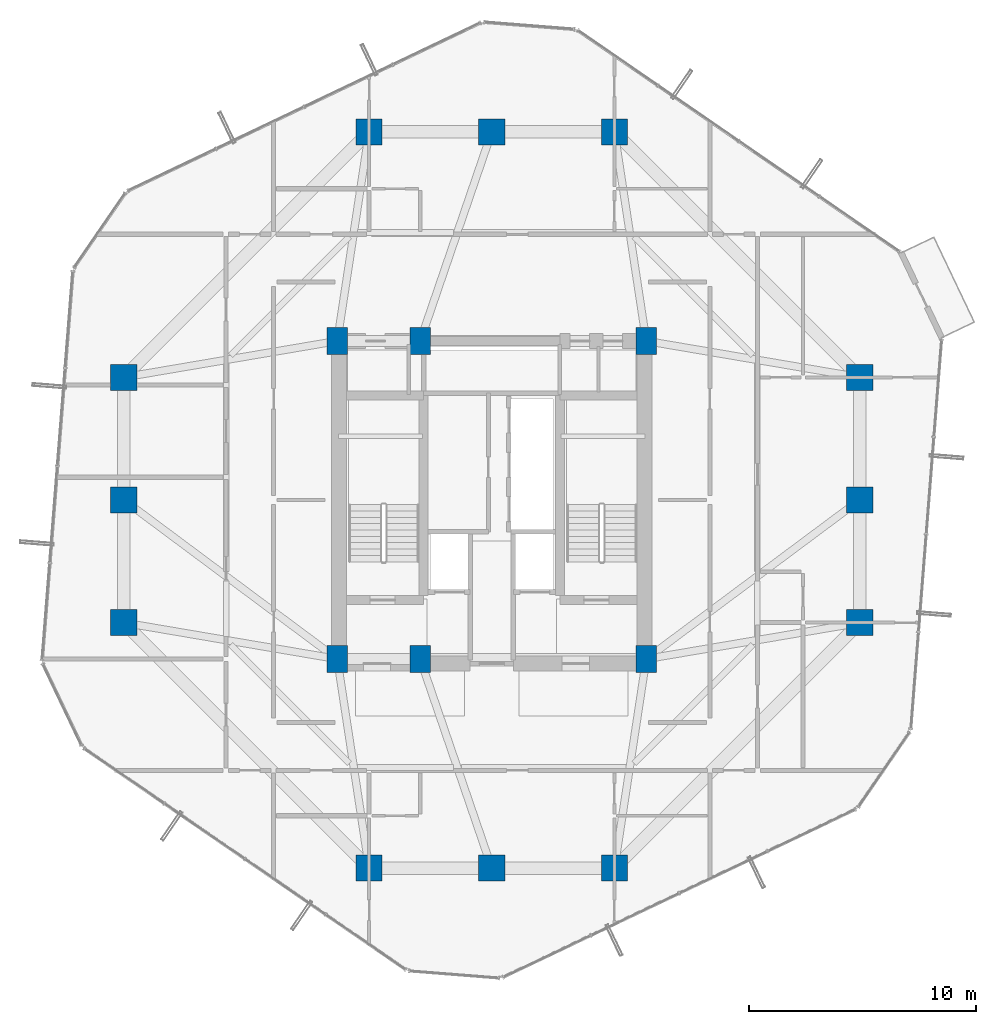
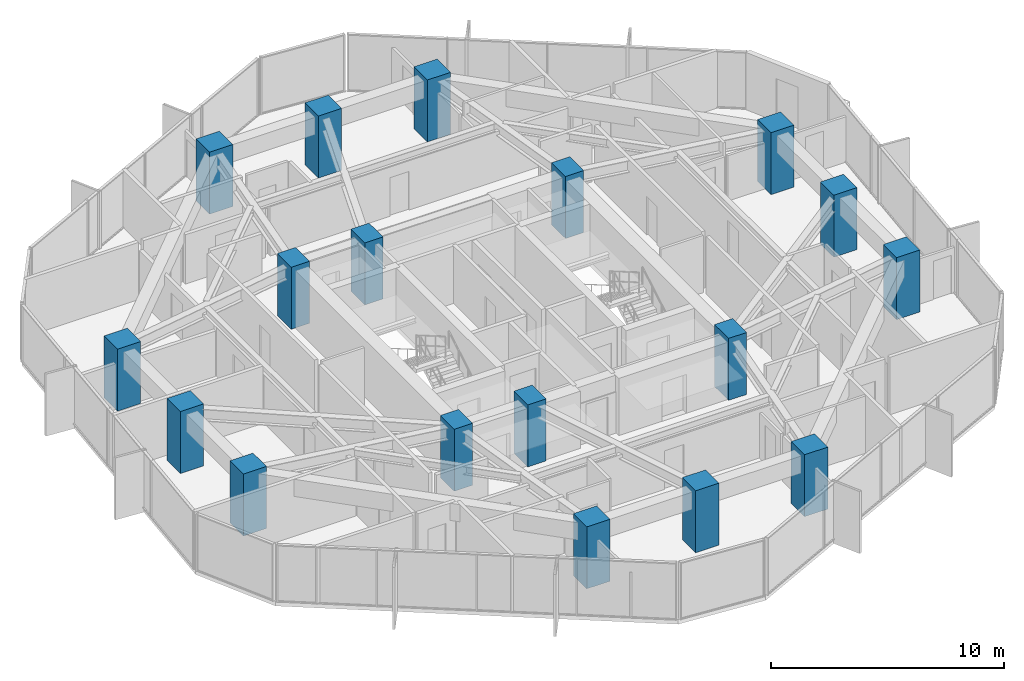
# One storey, part 1 of 30: 18 columns.
"""IFC4 building model written with IfcOpenShell, lengths in metres."""

from ifc_helpers import new_model, si_unit, direction, frame, origin, origin_2d, place, context, subcontext, project, spatial, rectangle, extrude, material, material_profile, profile_set, type_object, element, save


model = new_model("IFC4")

# Units and contexts
model_context = context("Model", 3, precision=1e-05, world=origin(), true_north=direction((0.0, 1.0)))
body_context = subcontext(model_context, "Body", "Model", "MODEL_VIEW")
ifc_project = project(units=[si_unit("LENGTHUNIT", "METRE"), si_unit("AREAUNIT", "SQUARE_METRE"), si_unit("VOLUMEUNIT", "CUBIC_METRE"), si_unit("PLANEANGLEUNIT", "RADIAN"), si_unit("MASSUNIT", "GRAM", prefix="KILO")], contexts=[model_context])

# Site, building, storey
site_placement = place(None, origin())
site = spatial("IfcSite", under=ifc_project, at=site_placement, CompositionType="ELEMENT")
building_placement = place(site_placement, origin())
building = spatial("IfcBuilding", under=site, at=building_placement, Name="Veraguas Prism Commons", CompositionType="ELEMENT")
storey_placement = place(building_placement, frame((0.0, 0.0, 113.25)))
storey = spatial("IfcBuildingStorey", under=building, at=storey_placement, Name="L31", CompositionType="ELEMENT", Elevation=113.25)

# Columns
ifc_material = material(Name="Concrete C60/75", Category="concrete")
ifc_material_profile_1 = material_profile(ifc_material, rectangle(XDim=1.14990234375, YDim=1.14990234375, at=origin_2d()), Name="RC1150X1150")
ifc_profile_set_1 = profile_set([ifc_material_profile_1], Name="Concrete C60/75")
column_type_1 = type_object("IfcColumnType", Name="Column Tube Z2 RC 1150x1150", PredefinedType="COLUMN", material=ifc_profile_set_1)
for number, where, z_axis, x_axis, name in (
    (1, (40.199951171875, 18.60009765625, 0.0), (0.0, 0.0, 1.0), (1.0, 0.0, 0.0), "Tower Perimeter Column L31-TB01"),
    (2, (40.199951171875, 24.0, 0.0), (0.0, 0.0, 1.0), (1.0, 0.0, 0.0), "Tower Perimeter Column L31-TB02"),
    (3, (40.199951171875, 29.39990234375, 0.0), (0.0, 0.0, 1.0), (1.0, 0.0, 0.0), "Tower Perimeter Column L31-TB03"),
    (4, (29.39990234375, 40.199951171875, 0.0), (0.0, 0.0, 1.0), (1.0, 0.0, 0.0), "Tower Perimeter Column L31-TB04"),
    (5, (24.0, 40.199951171875, 0.0), (0.0, 0.0, 1.0), (1.0, 0.0, 0.0), "Tower Perimeter Column L31-TB05"),
    (6, (18.60009765625, 40.199951171875, 0.0), (0.0, 0.0, 1.0), (1.0, 0.0, 0.0), "Tower Perimeter Column L31-TB06"),
    (7, (7.800048828125, 29.39990234375, 0.0), (0.0, 0.0, 1.0), (1.0, 0.0, 0.0), "Tower Perimeter Column L31-TB07"),
    (8, (7.800048828125, 24.0, 0.0), (0.0, 0.0, 1.0), (1.0, 0.0, 0.0), "Tower Perimeter Column L31-TB08"),
    (9, (7.800048828125, 18.60009765625, 0.0), (0.0, 0.0, 1.0), (1.0, 0.0, 0.0), "Tower Perimeter Column L31-TB09"),
    (10, (18.60009765625, 7.800048828125, 0.0), (0.0, 0.0, 1.0), (1.0, 0.0, 0.0), "Tower Perimeter Column L31-TB10"),
    (11, (24.0, 7.800048828125, 0.0), (0.0, 0.0, 1.0), (1.0, 0.0, 0.0), "Tower Perimeter Column L31-TB11"),
    (12, (29.39990234375, 7.800048828125, 0.0), (0.0, 0.0, 1.0), (1.0, 0.0, 0.0), "Tower Perimeter Column L31-TB12"),
):
    element("IfcColumn", number, at=place(storey_placement, frame(where, z_axis=z_axis, x_axis=x_axis)), inside=storey, type_object=column_type_1, Name=name, PredefinedType="COLUMN", context=body_context, shape_type="SweptSolid", body=[
        extrude(rectangle(XDim=1.14990234375, YDim=1.14990234375, at=origin_2d()), origin(), (0.0, 0.0, 1.0), 3.25),
    ])
ifc_material_profile_2 = material_profile(ifc_material, rectangle(XDim=0.89990234375, YDim=1.199951171875, at=origin_2d()), Name="RC900X1200")
ifc_profile_set_2 = profile_set([ifc_material_profile_2], Name="Concrete C60/75")
column_type_2 = type_object("IfcColumnType", Name="Pilaster Core Lower RC 900x1200", PredefinedType="PILASTER", material=ifc_profile_set_2)
for number, where, z_axis, x_axis, name in (
    (13, (17.199951171875, 17.0, 0.0), (0.0, 0.0, 1.0), (1.0, 0.0, 0.0), "Core Pilaster Column L31-CR1"),
    (14, (20.85009765625, 17.0, 0.0), (0.0, 0.0, 1.0), (1.0, 0.0, 0.0), "Core Pilaster Column L31-CR2"),
    (15, (30.800048828125, 17.0, 0.0), (0.0, 0.0, 1.0), (1.0, 0.0, 0.0), "Core Pilaster Column L31-CR3"),
    (16, (17.199951171875, 31.0, 0.0), (0.0, 0.0, 1.0), (1.0, 0.0, 0.0), "Core Pilaster Column L31-CR4"),
    (17, (20.85009765625, 31.0, 0.0), (0.0, 0.0, 1.0), (1.0, 0.0, 0.0), "Core Pilaster Column L31-CR5"),
    (18, (30.800048828125, 31.0, 0.0), (0.0, 0.0, 1.0), (1.0, 0.0, 0.0), "Core Pilaster Column L31-CR6"),
):
    element("IfcColumn", number, at=place(storey_placement, frame(where, z_axis=z_axis, x_axis=x_axis)), inside=storey, type_object=column_type_2, Name=name, PredefinedType="PILASTER", context=body_context, shape_type="SweptSolid", body=[
        extrude(rectangle(XDim=0.89990234375, YDim=1.199951171875, at=origin_2d()), origin(), (0.0, 0.0, 1.0), 3.25),
    ])

save(model, "model.ifc")
